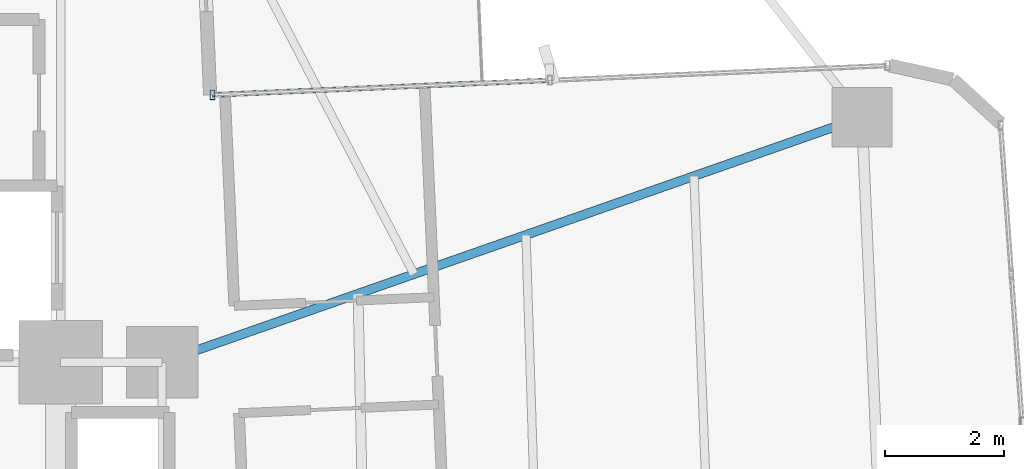
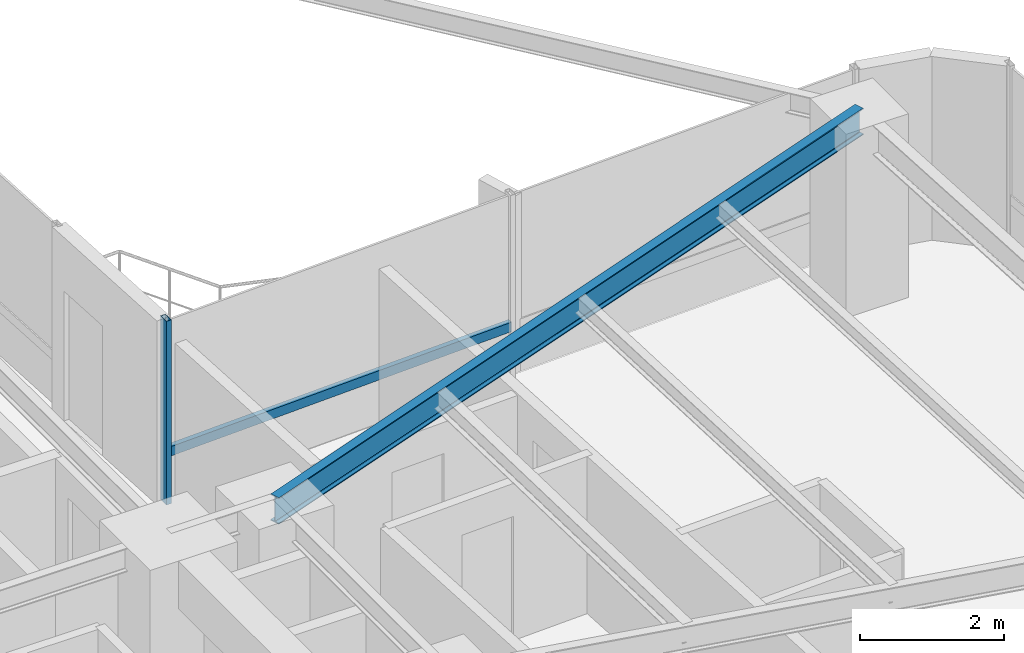
# One storey, part 13 of 26: 2 members, 1 beam, 1 element without a shape of its own.
"""IFC4 building model written with IfcOpenShell, lengths in metres."""

from ifc_helpers import new_model, si_unit, direction, frame, origin, origin_2d, place, context, subcontext, project, spatial, hollow_rectangle, i_section, extrude, source, transform, mapped, material, material_profile, profile_set, type_object, element, aggregate, save


model = new_model("IFC4")

# Units and contexts
model_context = context("Model", 3, precision=1e-05, world=origin(), true_north=direction((0.0, 1.0)))
body_context = subcontext(model_context, "Body", "Model", "MODEL_VIEW")
ifc_project = project(units=[si_unit("LENGTHUNIT", "METRE"), si_unit("AREAUNIT", "SQUARE_METRE"), si_unit("VOLUMEUNIT", "CUBIC_METRE"), si_unit("PLANEANGLEUNIT", "RADIAN"), si_unit("MASSUNIT", "GRAM", prefix="KILO")], contexts=[model_context])

# Site, building, storey
site_placement = place(None, origin())
site = spatial("IfcSite", under=ifc_project, at=site_placement, CompositionType="ELEMENT")
building_placement = place(site_placement, origin())
building = spatial("IfcBuilding", under=site, at=building_placement, Name="Sahyath Konkavel Grand Hotel", CompositionType="ELEMENT")
storey_placement = place(building_placement, frame((0.0, 0.0, 111.449951171875)))
storey = spatial("IfcBuildingStorey", under=building, at=storey_placement, Name="L30", CompositionType="ELEMENT", Elevation=111.449951171875)

# Beam
ifc_material_1 = material(Name="Steel E350", Category="steel")
ifc_material_profile_1 = material_profile(ifc_material_1, i_section(OverallWidth=0.14990234375, OverallDepth=0.449951171875, WebThickness=0.009521484375, FlangeThickness=0.017333984375, FilletRadius=0.014892578125, at=origin_2d()), Name="ISMB 450")
ifc_profile_set_1 = profile_set([ifc_material_profile_1], Name="Steel E350")
beam_type = type_object("IfcBeamType", Name="BM-ISMB450", PredefinedType="BEAM", material=ifc_profile_set_1)
shared_shape_1 = source(origin(), body_context, "Body", "SweptSolid", [
    extrude(i_section(OverallWidth=0.14990234375, OverallDepth=0.449951171875, WebThickness=0.009521484375, FlangeThickness=0.017333984375, FilletRadius=0.014892578125, at=origin_2d()), origin(), (0.0, 0.0, 1.0), 12.430908203125),
])
beam_placement = place(storey_placement, frame((5.5, 2.39990234375, 2.885009765625), z_axis=(0.943819157235, 0.330462400941, 0.0), x_axis=(-0.330462400941, 0.943819157235, 0.0)))
element("IfcBeam", 1, at=beam_placement, inside=storey, type_object=beam_type, Name="L30 Cruciform Radial Girder EB", PredefinedType="BEAM", context=body_context, shape_type="MappedRepresentation", body=[
    mapped(shared_shape_1, transform((0.0, 0.0, 0.0), scale=1.0)),
])

# Curtain wall, members
ifc_material_2 = material(Name="Anodised Bronze Aluminium & Low-E Glazing", Category="aluminium")
curtain_wall_type = type_object("IfcCurtainWallType", Name="CW-ZONE2", PredefinedType="NOTDEFINED", material=ifc_material_2)
curtain_wall_placement = place(storey_placement, origin())
curtain_wall = element("IfcCurtainWall", 2, at=curtain_wall_placement, inside=storey, type_object=curtain_wall_type, Name="L30 Unitised Curtain Wall F7", PredefinedType="NOTDEFINED")
ifc_material_3 = material(Name="Anodised Bronze Aluminium", Category="aluminium")
ifc_material_profile_2 = material_profile(ifc_material_3, hollow_rectangle(XDim=0.080078125, YDim=0.159912109375, WallThickness=0.006103515625, at=origin_2d()), Name="RHS 160x80x6")
ifc_profile_set_2 = profile_set([ifc_material_profile_2], Name="Anodised Bronze Aluminium")
member_type_1 = type_object("IfcMemberType", Name="CW-MUL-160", PredefinedType="MULLION", material=ifc_profile_set_2)
shared_shape_2 = source(origin(), body_context, "Body", "SweptSolid", [
    extrude(hollow_rectangle(XDim=0.080078125, YDim=0.159912109375, WallThickness=0.006103515625, at=origin_2d()), origin(), (0.0, 0.0, 1.0), 3.110107421875),
])
member_1_placement = place(storey_placement, frame((6.345703125, 6.88330078125, 0.0), z_axis=(0.0, 0.0, 1.0), x_axis=(1.0, 0.0, 0.0)))
member_1 = element("IfcMember", 3, at=member_1_placement, type_object=member_type_1, Name="L30 Curtain Wall Mullion F7-2", PredefinedType="MULLION", context=body_context, shape_type="MappedRepresentation", body=[
    mapped(shared_shape_2, transform((0.0, 0.0, 0.0), scale=1.0)),
])
ifc_material_profile_3 = material_profile(ifc_material_3, hollow_rectangle(XDim=0.080078125, YDim=0.159912109375, WallThickness=0.006103515625, at=origin_2d()), Name="RHS 160x80x6")
ifc_profile_set_3 = profile_set([ifc_material_profile_3], Name="Anodised Bronze Aluminium")
member_type_2 = type_object("IfcMemberType", Name="CW-TRN-160", PredefinedType="USERDEFINED", material=ifc_profile_set_3)
shared_shape_3 = source(origin(), body_context, "Body", "SweptSolid", [
    extrude(hollow_rectangle(XDim=0.080078125, YDim=0.159912109375, WallThickness=0.006103515625, at=origin_2d()), origin(), (0.0, 0.0, 1.0), 5.66015625),
])
member_2_placement = place(storey_placement, frame((12.00048828125, 7.13037109375, 0.85009765625), z_axis=(-0.9990468579, -0.043650609628, 0.0), x_axis=(0.043650609628, -0.9990468579, 0.0)))
member_2 = element("IfcMember", 4, at=member_2_placement, type_object=member_type_2, Name="L30 Curtain Wall Transom F7-1-spandrel", ObjectType="TRANSOM", PredefinedType="USERDEFINED", context=body_context, shape_type="MappedRepresentation", body=[
    mapped(shared_shape_3, transform((0.0, 0.0, 0.0), scale=1.0)),
])
aggregate(curtain_wall, [member_1, member_2])

save(model, "model.ifc")
